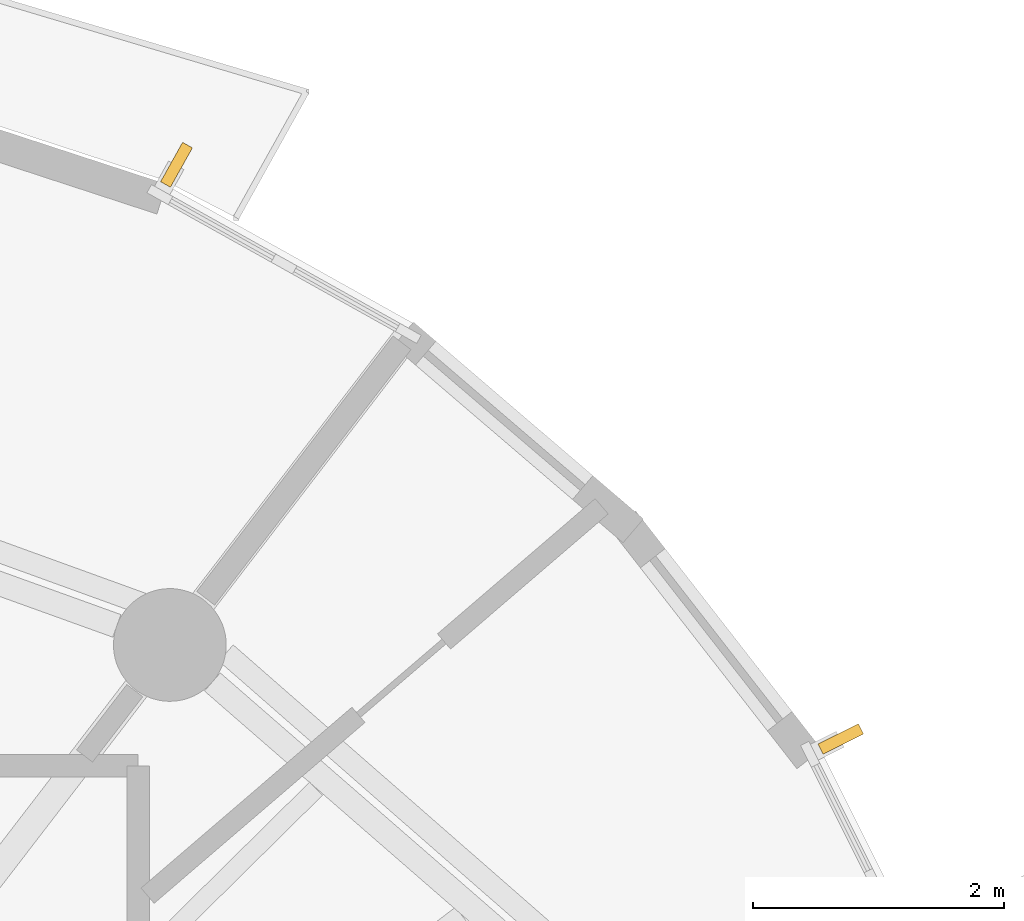
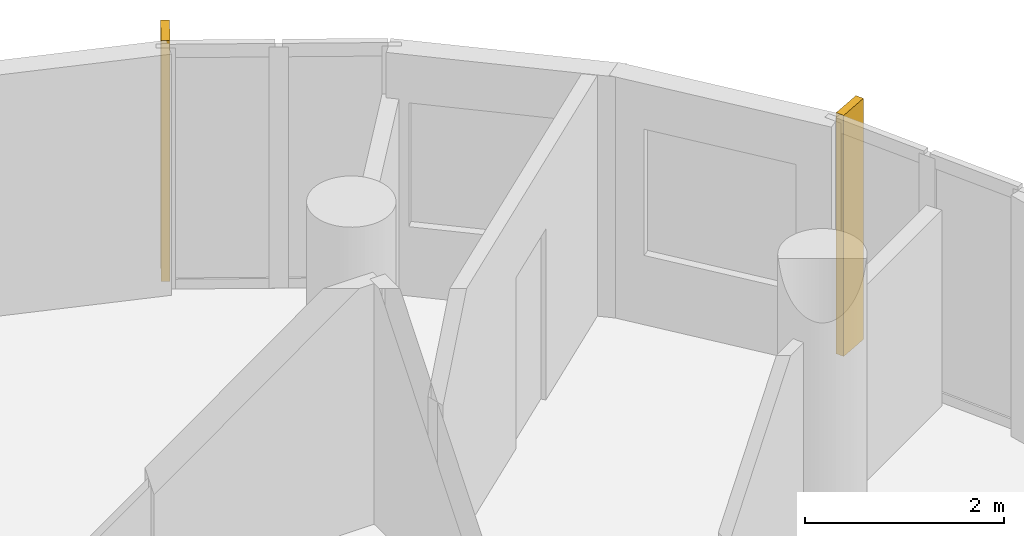
# One storey, part 10 of 10: 2 shading devices.
"""IFC4 building model written with IfcOpenShell, lengths in metres."""

from ifc_helpers import new_model, si_unit, direction, frame, origin, origin_2d, place, context, subcontext, project, spatial, rectangle, extrude, material, layer, layer_set, type_object, element, save


model = new_model("IFC4")

# Units and contexts
model_context = context("Model", 3, precision=1e-05, world=origin(), true_north=direction((0.0, 1.0)))
body_context = subcontext(model_context, "Body", "Model", "MODEL_VIEW")
ifc_project = project(units=[si_unit("LENGTHUNIT", "METRE"), si_unit("AREAUNIT", "SQUARE_METRE"), si_unit("VOLUMEUNIT", "CUBIC_METRE"), si_unit("PLANEANGLEUNIT", "RADIAN"), si_unit("MASSUNIT", "GRAM", prefix="KILO")], contexts=[model_context])

# Site, building, storey
site_placement = place(None, origin())
site = spatial("IfcSite", under=ifc_project, at=site_placement, CompositionType="ELEMENT")
building_placement = place(site_placement, origin())
building = spatial("IfcBuilding", under=site, at=building_placement, Name="Veldorim Arch Residences", CompositionType="ELEMENT")
storey_placement = place(building_placement, frame((0.0, 0.0, 179.0400390625)))
storey = spatial("IfcBuildingStorey", under=building, at=storey_placement, Name="L53", CompositionType="ELEMENT", Elevation=179.0400390625)

# Shading devices
ifc_material = material(Name="Terracotta Ceramic", Category="masonry")
ifc_layer = layer(ifc_material, 0.090087890625, Name="Vertical Extruded Terracotta Baguette Sun-Shading Fin")
ifc_layer_set = layer_set([ifc_layer], Name="Terracotta Ceramic")
shading_device_type = type_object("IfcShadingDeviceType", Name="Vertical Extruded Terracotta Baguette Sun-Shading Fin", PredefinedType="USERDEFINED", material=ifc_layer_set)
for number, where, z_axis, x_axis, name in (
    (1, (39.38671875, 37.378173828125, 0.0), (0.0, 0.0, 1.0), (0.873007211547, -0.487707298065, 0.0), "L53 vertical terracotta sun-shading fin 02"),
    (2, (44.688720703125, 32.794921875, 0.0), (0.0, 0.0, 1.0), (0.446978620671, -0.894544639838, 0.0), "L53 vertical terracotta sun-shading fin 35"),
):
    element("IfcShadingDevice", number, at=place(storey_placement, frame(where, z_axis=z_axis, x_axis=x_axis)), inside=storey, type_object=shading_device_type, Name=name, ObjectType="FIN", PredefinedType="USERDEFINED", context=body_context, shape_type="SweptSolid", body=[
        extrude(rectangle(XDim=0.090087890625, YDim=0.360107421875, at=origin_2d()), origin(), (0.0, 0.0, 1.0), 2.9599609375),
    ])

save(model, "model.ifc")
